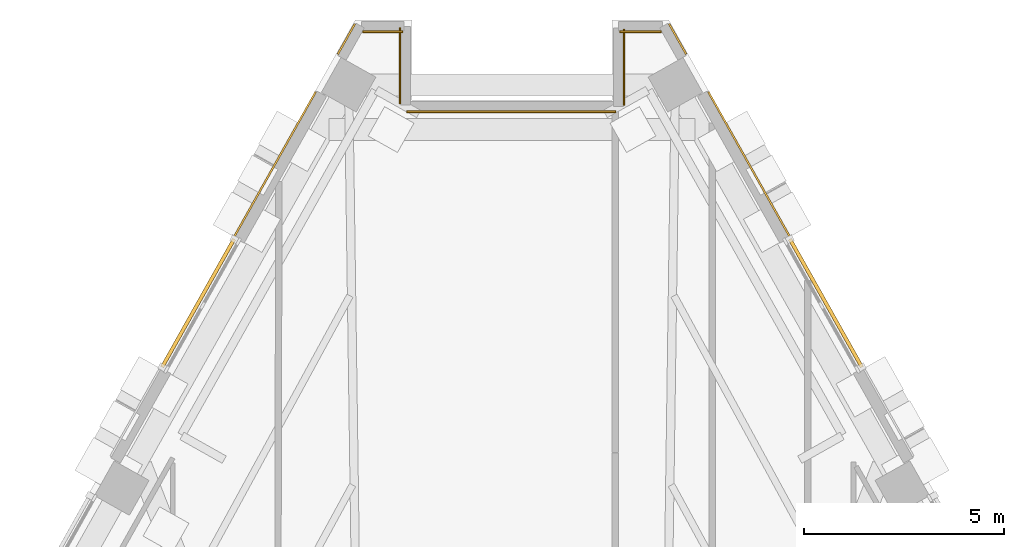
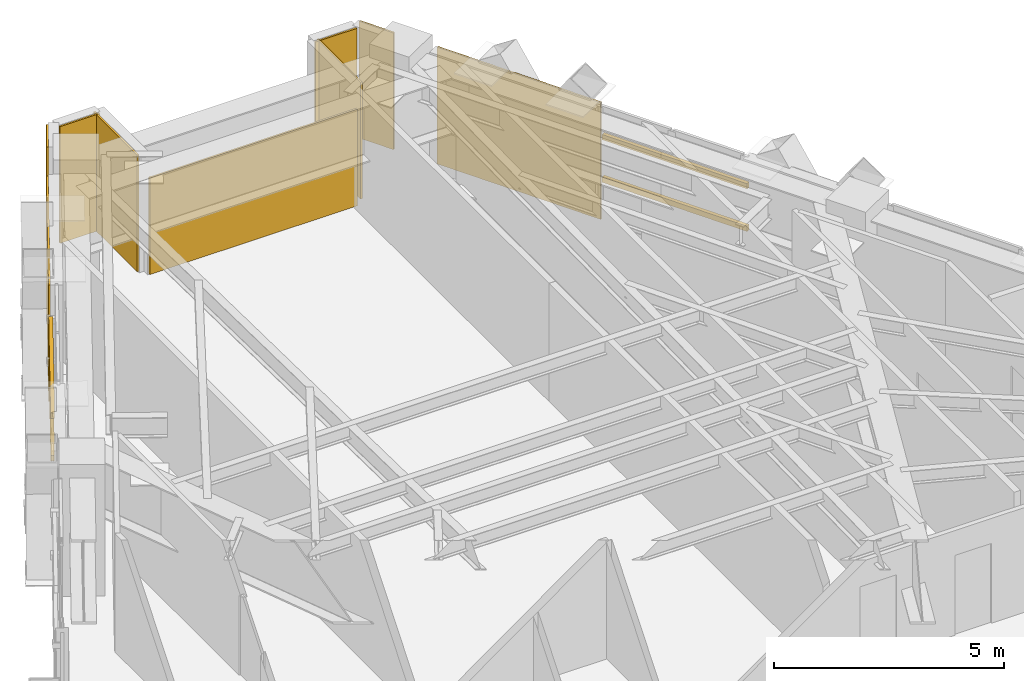
# One storey, part 13 of 13: 9 coverings, 4 shading devices.
"""IFC4 building model written with IfcOpenShell, lengths in metres."""

from ifc_helpers import new_model, si_unit, direction, frame, origin, origin_2d, place, context, subcontext, project, spatial, polyline, rectangle, outline, extrude, material, layer, layer_set, material_profile, profile_set, type_object, element, save


model = new_model("IFC4")

# Units and contexts
model_context = context("Model", 3, precision=1e-05, world=origin(), true_north=direction((0.0, 1.0)))
body_context = subcontext(model_context, "Body", "Model", "MODEL_VIEW")
ifc_project = project(units=[si_unit("LENGTHUNIT", "METRE"), si_unit("AREAUNIT", "SQUARE_METRE"), si_unit("VOLUMEUNIT", "CUBIC_METRE"), si_unit("PLANEANGLEUNIT", "RADIAN"), si_unit("MASSUNIT", "GRAM", prefix="KILO")], contexts=[model_context])

# Site, building, storey
site_placement = place(None, origin())
site = spatial("IfcSite", under=ifc_project, at=site_placement, CompositionType="ELEMENT")
building_placement = place(site_placement, origin())
building = spatial("IfcBuilding", under=site, at=building_placement, Name="Quenlor Broadcast Tower", CompositionType="ELEMENT")
storey_placement = place(building_placement, frame((0.0, 0.0, 175.5)))
storey = spatial("IfcBuildingStorey", under=building, at=storey_placement, Name="L48", CompositionType="ELEMENT", Elevation=175.5)

# Shading devices
ifc_material_1 = material(Name="Architectural Terracotta Ceramic", Category="masonry")
ifc_material_profile = material_profile(ifc_material_1, rectangle(XDim=0.090087890625, YDim=0.139892578125, at=origin_2d()))
ifc_profile_set = profile_set([ifc_material_profile], Name="Architectural Terracotta Ceramic BAG90x140")
shading_device_type = type_object("IfcShadingDeviceType", Name="Copper Terracotta Baguette Solar Screen 140", PredefinedType="USERDEFINED", material=ifc_profile_set)
for number, where, z_axis, x_axis, name in (
    (1, (6.938720703125, 14.968505859375, 1.13037109375), (0.490286548151, -0.871561300599, 0.0), (0.871561300599, 0.490286548151, 0.0), "L48 Terracotta Baguette Screen 1"),
    (2, (6.938720703125, 14.968505859375, 2.2607421875), (0.490286548151, -0.871561300599, 0.0), (0.871561300599, 0.490286548151, 0.0), "L48 Terracotta Baguette Screen 2"),
    (3, (-8.735107421875, 11.775146484375, 1.13037109375), (0.490286548151, 0.871561300599, 0.0), (-0.871561300599, 0.490286548151, 0.0), "L48 Terracotta Baguette Screen 1"),
    (4, (-8.735107421875, 11.775146484375, 2.2607421875), (0.490286548151, 0.871561300599, 0.0), (-0.871561300599, 0.490286548151, 0.0), "L48 Terracotta Baguette Screen 2"),
):
    element("IfcShadingDevice", number, at=place(storey_placement, frame(where, z_axis=z_axis, x_axis=x_axis)), inside=storey, type_object=shading_device_type, Name=name, ObjectType="BAGUETTE", PredefinedType="USERDEFINED", context=body_context, shape_type="SweptSolid", body=[
        extrude(rectangle(XDim=0.090087890625, YDim=0.139892578125, at=origin_2d()), origin(), (0.0, 0.0, 1.0), 3.6640625),
    ])

# Coverings
ifc_material_2 = material(Name="Architectural Terracotta Ceramic", Category="masonry")
ifc_layer = layer(ifc_material_2, 0.044921875)
ifc_layer_set = layer_set([ifc_layer], Name="Fluted Terracotta Rainscreen Cladding Panel")
covering_type = type_object("IfcCoveringType", Name="Fluted Terracotta Rainscreen Cladding Panel", PredefinedType="CLADDING", material=ifc_layer_set)
covering_1_placement = place(storey_placement, frame((0.0, 0.0, 0.02001953125)))
element("IfcCovering", 5, at=covering_1_placement, inside=storey, type_object=covering_type, Name="L48 Terracotta Rainscreen Cladding L48-SHD-NES0", PredefinedType="CLADDING", context=body_context, shape_type="SweptSolid", body=[
    extrude(outline(polyline([(3.904296875, 20.330810546875), (4.32861328125, 19.576171875), (4.367919921875, 19.59814453125), (3.943359375, 20.352783203125), (3.904296875, 20.330810546875)])), origin(), (0.0, 0.0, 1.0), 3.10009765625),
])
covering_2_placement = place(storey_placement, frame((0.0, 0.0, 0.02001953125)))
element("IfcCovering", 6, at=covering_2_placement, inside=storey, type_object=covering_type, Name="L48 Terracotta Rainscreen Cladding L48-NEA-SP1", PredefinedType="CLADDING", context=body_context, shape_type="SweptSolid", body=[
    extrude(outline(polyline([(4.880615234375, 18.635986328125), (6.910400390625, 15.027099609375), (6.94970703125, 15.04931640625), (4.919677734375, 18.657958984375), (4.880615234375, 18.635986328125)])), origin(), (0.0, 0.0, 1.0), 3.10009765625),
])
covering_3_placement = place(storey_placement, frame((0.0, 0.0, 0.02001953125)))
element("IfcCovering", 7, at=covering_3_placement, inside=storey, type_object=covering_type, Name="L48 Terracotta Rainscreen Cladding L48-SHD-NWS1", PredefinedType="CLADDING", context=body_context, shape_type="SweptSolid", body=[
    extrude(outline(polyline([(-4.32861328125, 19.576171875), (-3.904296875, 20.330810546875), (-3.943359375, 20.352783203125), (-4.367919921875, 19.59814453125), (-4.32861328125, 19.576171875)])), origin(), (0.0, 0.0, 1.0), 3.10009765625),
])
covering_4_placement = place(storey_placement, frame((0.0, 0.0, 0.02001953125)))
element("IfcCovering", 8, at=covering_4_placement, inside=storey, type_object=covering_type, Name="L48 Terracotta Rainscreen Cladding L48-NWC-SP2", PredefinedType="CLADDING", context=body_context, shape_type="SweptSolid", body=[
    extrude(outline(polyline([(-6.910400390625, 15.027099609375), (-4.880615234375, 18.635986328125), (-4.919677734375, 18.657958984375), (-6.94970703125, 15.04931640625), (-6.910400390625, 15.027099609375)])), origin(), (0.0, 0.0, 1.0), 3.10009765625),
])
covering_5_placement = place(storey_placement, frame((0.0, 0.0, 0.02001953125)))
element("IfcCovering", 9, at=covering_5_placement, inside=storey, type_object=covering_type, Name="L48 Terracotta Rainscreen Cladding L48-CNR-06", PredefinedType="CLADDING", context=body_context, shape_type="SweptSolid", body=[
    extrude(outline(polyline([(3.7314453125, 20.16796875), (2.68994140625, 20.16796875), (2.68994140625, 20.123046875), (3.7314453125, 20.123046875), (3.7314453125, 20.16796875)])), origin(), (0.0, 0.0, 1.0), 3.10009765625),
])
covering_6_placement = place(storey_placement, frame((0.0, 0.0, 0.02001953125)))
element("IfcCovering", 10, at=covering_6_placement, inside=storey, type_object=covering_type, Name="L48 Terracotta Rainscreen Cladding L48-CNR-07", PredefinedType="CLADDING", context=body_context, shape_type="SweptSolid", body=[
    extrude(outline(polyline([(2.77197265625, 20.2099609375), (2.77197265625, 18.31005859375), (2.81689453125, 18.31005859375), (2.81689453125, 20.2099609375), (2.77197265625, 20.2099609375)])), origin(), (0.0, 0.0, 1.0), 3.10009765625),
])
covering_7_placement = place(storey_placement, frame((0.0, 0.0, 0.02001953125)))
element("IfcCovering", 11, at=covering_7_placement, inside=storey, type_object=covering_type, Name="L48 Terracotta Rainscreen Cladding L48-CNR-08", PredefinedType="CLADDING", context=body_context, shape_type="SweptSolid", body=[
    extrude(outline(polyline([(2.590087890625, 18.16796875), (-2.6298828125, 18.16796875), (-2.6298828125, 18.123046875), (2.590087890625, 18.123046875), (2.590087890625, 18.16796875)])), origin(), (0.0, 0.0, 1.0), 2.56689453125),
])
covering_8_placement = place(storey_placement, frame((0.0, 0.0, 0.02001953125)))
element("IfcCovering", 12, at=covering_8_placement, inside=storey, type_object=covering_type, Name="L48 Terracotta Rainscreen Cladding L48-CNR-09", PredefinedType="CLADDING", context=body_context, shape_type="SweptSolid", body=[
    extrude(outline(polyline([(-2.77197265625, 18.35009765625), (-2.77197265625, 20.25), (-2.81689453125, 20.25), (-2.81689453125, 18.35009765625), (-2.77197265625, 18.35009765625)])), origin(), (0.0, 0.0, 1.0), 3.10009765625),
])
covering_9_placement = place(storey_placement, frame((0.0, 0.0, 0.02001953125)))
element("IfcCovering", 13, at=covering_9_placement, inside=storey, type_object=covering_type, Name="L48 Terracotta Rainscreen Cladding L48-CNR-10", PredefinedType="CLADDING", context=body_context, shape_type="SweptSolid", body=[
    extrude(outline(polyline([(-2.72998046875, 20.16796875), (-3.7314453125, 20.16796875), (-3.7314453125, 20.123046875), (-2.72998046875, 20.123046875), (-2.72998046875, 20.16796875)])), origin(), (0.0, 0.0, 1.0), 3.10009765625),
])

save(model, "model.ifc")
